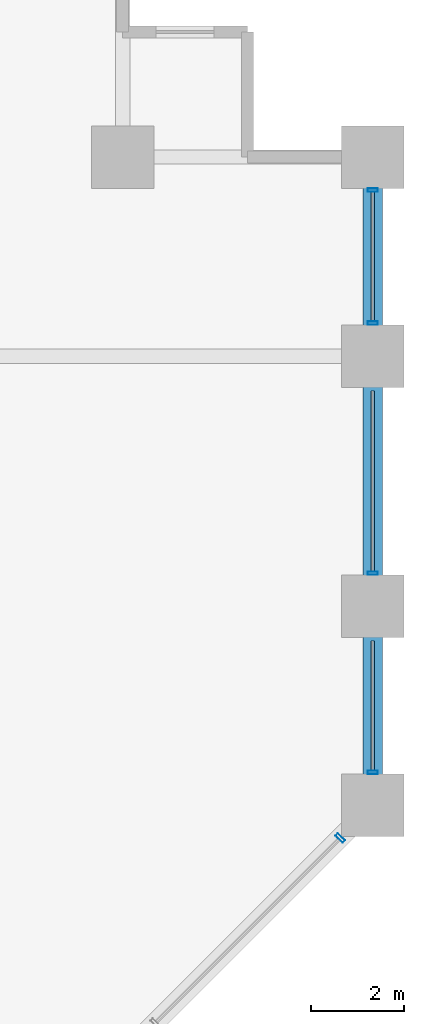
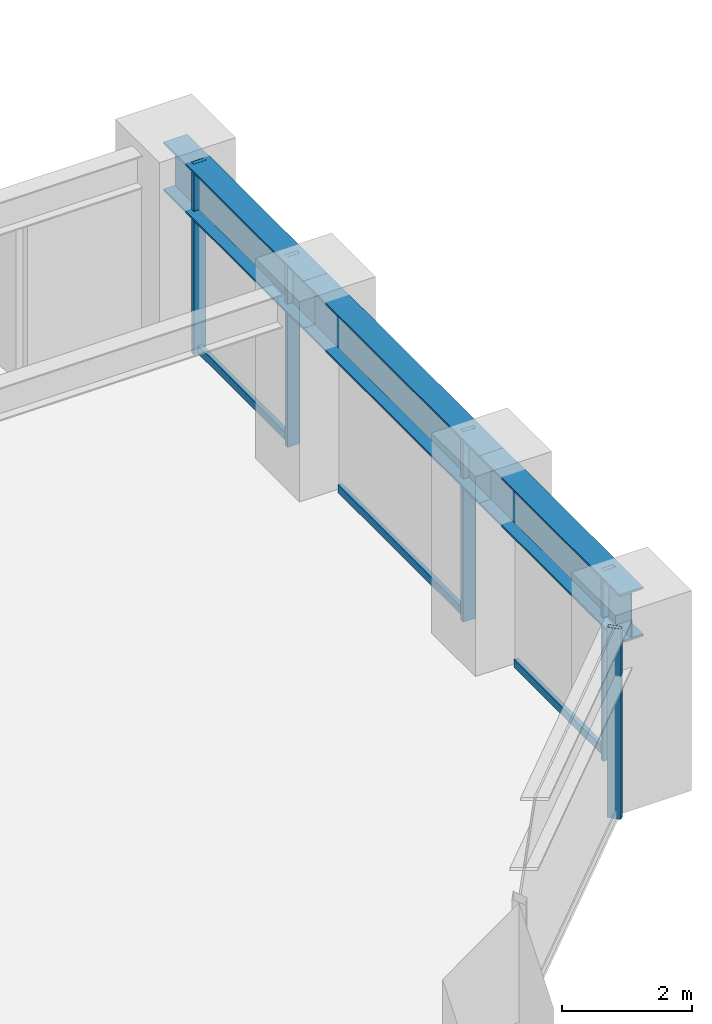
# One storey, part 17 of 25: 8 members, 3 beams, 2 elements without a shape of their own.
"""IFC4 building model written with IfcOpenShell, lengths in metres."""

import ifcopenshell
import ifcopenshell.guid

model = None  # the IFC model being written
_history = None  # IfcOwnerHistory: only IFC2X3 demands one
_inside = {}  # id of a spatial element -> (the spatial element, [elements in it])
_under = {}  # id of a project, library or spatial element -> (it, [spatial elements below it])
_declared = {}  # id of a project -> (the project, [libraries it declares])
_typed = {}  # id of a type object -> (the type object, [elements of that type])
_made_of = {}  # id of a material, layer set ... -> (it, [elements and type objects made of it])


def new_model(schema):
    """Start an empty IFC model of exactly this schema.

    Asked for "IFC4X3", IfcOpenShell would pick the latest addendum, in which some entities
    have other attributes; the version numbers below select the first issue.
    IFC2X3 requires an IfcOwnerHistory on every rooted entity: one is made here for all.
    """
    global model, _history
    if schema == "IFC4X3":
        model = ifcopenshell.file(schema_version=(4, 3, 0, 0))
    else:
        model = ifcopenshell.file(schema=schema)
    _inside.clear()
    _under.clear()
    _declared.clear()
    _typed.clear()
    _made_of.clear()
    _history = None
    if model.schema == "IFC2X3":
        org = make("IfcOrganization", Name="unknown")
        user = make(
            "IfcPersonAndOrganization",
            ThePerson=make("IfcPerson", FamilyName="unknown"),
            TheOrganization=org,
        )
        app = make(
            "IfcApplication",
            ApplicationDeveloper=org,
            Version="unknown",
            ApplicationFullName="unknown",
            ApplicationIdentifier="unknown",
        )
        _history = make(
            "IfcOwnerHistory",
            OwningUser=user,
            OwningApplication=app,
            ChangeAction="ADDED",
            CreationDate=0,
        )
    return model


def make(cls, **values):
    """One entity of the class cls with the attributes given. An attribute that is None is left unset."""
    return model.create_entity(
        cls, **{name: value for name, value in values.items() if value is not None}
    )


def rooted(cls, **values):
    """An entity with a GlobalId (a new one), such as an element, a storey or a relation."""
    return make(cls, GlobalId=ifcopenshell.guid.new(), OwnerHistory=_history, **values)


def si_unit(unit_type, name, prefix=None):
    """IfcSIUnit, for example si_unit("LENGTHUNIT", "METRE", prefix="MILLI")."""
    return make("IfcSIUnit", UnitType=unit_type, Prefix=prefix, Name=name)


def assignment(units):
    """IfcUnitAssignment: the units of a project."""
    return None if units is None else make("IfcUnitAssignment", Units=units)


def point(xyz):
    """IfcCartesianPoint."""
    return None if xyz is None else make("IfcCartesianPoint", Coordinates=xyz)


def direction(xyz):
    """IfcDirection."""
    return None if xyz is None else make("IfcDirection", DirectionRatios=xyz)


def frame(location, z_axis=None, x_axis=None):
    """IfcAxis2Placement3D, a coordinate frame: its origin and axes. An axis left out is left unset."""
    return make(
        "IfcAxis2Placement3D",
        Location=point(location),
        Axis=direction(z_axis),
        RefDirection=direction(x_axis),
    )


def frame_2d(location, x_axis=None):
    """IfcAxis2Placement2D, a coordinate frame in the plane: its origin and x axis."""
    return make(
        "IfcAxis2Placement2D", Location=point(location), RefDirection=direction(x_axis)
    )


def origin():
    """The frame at (0, 0, 0) with its axes left unset."""
    return frame((0.0, 0.0, 0.0))


def origin_2d():
    """The frame at (0, 0) in the plane with its x axis left unset."""
    return frame_2d((0.0, 0.0))


def place(relative_to, where):
    """IfcLocalPlacement: puts the frame where relative to a parent placement (None: the world)."""
    return make(
        "IfcLocalPlacement", PlacementRelTo=relative_to, RelativePlacement=where
    )


def context(
    kind, dimensions, precision=None, world=None, true_north=None, identifier=None
):
    """IfcGeometricRepresentationContext, for example the 3D "Model" context."""
    return make(
        "IfcGeometricRepresentationContext",
        ContextIdentifier=identifier,
        ContextType=kind,
        CoordinateSpaceDimension=dimensions,
        Precision=precision,
        WorldCoordinateSystem=world,
        TrueNorth=true_north,
    )


def subcontext(parent, identifier, kind, view, scale=None):
    """IfcGeometricRepresentationSubContext, for example "Body" below "Model"."""
    return make(
        "IfcGeometricRepresentationSubContext",
        ContextIdentifier=identifier,
        ContextType=kind,
        ParentContext=parent,
        TargetScale=scale,
        TargetView=view,
    )


def project(units=None, contexts=None):
    """IfcProject with its units and contexts."""
    return rooted(
        "IfcProject",
        Name="project",
        RepresentationContexts=contexts,
        UnitsInContext=assignment(units),
    )


def spatial(cls, under=None, at=None, **own):
    """A site, building, storey or space (cls), placed at a placement, below another one or the project."""
    s = rooted(cls, ObjectPlacement=at, **own)
    if under is not None:
        _under.setdefault(under.id(), (under, []))[1].append(s)
    return s


def profile(cls, at=None, kind="AREA", **sizes):
    """A parametric profile (cls). Its sizes go by their IFC names, for example OverallWidth=200.0."""
    return make(cls, ProfileType=kind, Position=at, **sizes)


def hollow_rectangle(**sizes):
    """IfcRectangleHollowProfileDef."""
    return profile("IfcRectangleHollowProfileDef", **sizes)


def i_section(**sizes):
    """IfcIShapeProfileDef."""
    return profile("IfcIShapeProfileDef", **sizes)


def extrude(swept, where, along, depth):
    """IfcExtrudedAreaSolid: the profile swept, set in the frame where, extruded along a direction by depth."""
    return make(
        "IfcExtrudedAreaSolid",
        SweptArea=swept,
        Position=where,
        ExtrudedDirection=direction(along),
        Depth=depth,
    )


def shape(context_of_items, identifier, shape_type, items):
    """IfcShapeRepresentation: the items that make up one representation, for example the "Body"."""
    return make(
        "IfcShapeRepresentation",
        ContextOfItems=context_of_items,
        RepresentationIdentifier=identifier,
        RepresentationType=shape_type,
        Items=items,
    )


def material(Name=None, Category=None):
    """IfcMaterial."""
    return make("IfcMaterial", Name=Name, Category=Category)


def layer(
    of_material, thickness, ventilated=None, Name=None, Category=None, Priority=None
):
    """IfcMaterialLayer: one layer of a wall or slab, of a material (None: an air gap)."""
    return make(
        "IfcMaterialLayer",
        Material=of_material,
        LayerThickness=thickness,
        IsVentilated=ventilated,
        Name=Name,
        Category=Category,
        Priority=Priority,
    )


def layer_set(layers, Name=None):
    """IfcMaterialLayerSet."""
    return make("IfcMaterialLayerSet", MaterialLayers=layers, LayerSetName=Name)


def material_profile(
    of_material, cross_section, Name=None, Category=None, Priority=None
):
    """IfcMaterialProfile: a cross section and its material."""
    return make(
        "IfcMaterialProfile",
        Name=Name,
        Material=of_material,
        Profile=cross_section,
        Priority=Priority,
        Category=Category,
    )


def profile_set(profiles, Name=None, composite=None):
    """IfcMaterialProfileSet."""
    return make(
        "IfcMaterialProfileSet",
        Name=Name,
        MaterialProfiles=profiles,
        CompositeProfile=composite,
    )


def made_of(thing, what):
    """Note that an element or type object is made of a material, layer set ...; save() writes the relation."""
    if what is not None:
        _made_of.setdefault(what.id(), (what, []))[1].append(thing)
    return thing


def type_object(cls, material=None, **own):
    """A type object (cls), such as IfcWallType, which elements share."""
    return made_of(rooted(cls, **own), material)


def element(
    cls,
    number,
    at=None,
    inside=None,
    cuts=None,
    type_object=None,
    material=None,
    context=None,
    identifier="Body",
    shape_type=None,
    held_by="IfcProductDefinitionShape",
    body=None,
    shapes=None,
    **own,
):
    """One element of the class cls, such as IfcWall. Its Tag is "e" and its number.

    at: its placement. inside: the storey or other place that contains it. cuts: it is an
    opening in that element (IfcRelVoidsElement). A single representation is given by context,
    identifier, shape_type and body (its items); several are given by shapes. held_by: the class
    of the entity that holds the representations. save() writes the other relations.
    """
    e = rooted(cls, Tag="e%d" % number, ObjectPlacement=at, **own)
    if body is not None:
        shapes = [shape(context, identifier, shape_type, body)]
    if shapes is not None:
        e.Representation = make(held_by, Representations=shapes)
    if inside is not None:
        _inside.setdefault(inside.id(), (inside, []))[1].append(e)
    if cuts is not None:
        rooted(
            "IfcRelVoidsElement", RelatingBuildingElement=cuts, RelatedOpeningElement=e
        )
    if type_object is not None:
        _typed.setdefault(type_object.id(), (type_object, []))[1].append(e)
    return made_of(e, material)


def aggregate(whole, parts):
    """IfcRelAggregates: a whole, such as a stair, and the parts it consists of."""
    return rooted("IfcRelAggregates", RelatingObject=whole, RelatedObjects=parts)


def save(model, path):
    """Write the relations noted so far, then the file.

    IfcRelAggregates (storeys below a building ...), IfcRelContainedInSpatialStructure (elements
    in a storey), IfcRelDefinesByType, IfcRelAssociatesMaterial and IfcRelDeclares: one each for
    every whole, place, type object, material and project.
    """
    for whole, parts in _under.values():
        aggregate(whole, parts)
    for where, things in _inside.values():
        rooted(
            "IfcRelContainedInSpatialStructure",
            RelatedElements=things,
            RelatingStructure=where,
        )
    for kind, things in _typed.values():
        rooted("IfcRelDefinesByType", RelatedObjects=things, RelatingType=kind)
    for what, things in _made_of.values():
        rooted("IfcRelAssociatesMaterial", RelatedObjects=things, RelatingMaterial=what)
    for by, libraries in _declared.values():
        rooted("IfcRelDeclares", RelatingContext=by, RelatedDefinitions=libraries)
    model.write(path)


model = new_model("IFC4")

# Units and contexts
model_context = context("Model", 3, precision=1e-05, world=origin(), true_north=direction((0.0, 1.0)))
body_context = subcontext(model_context, "Body", "Model", "MODEL_VIEW")
ifc_project = project(units=[si_unit("LENGTHUNIT", "METRE"), si_unit("AREAUNIT", "SQUARE_METRE"), si_unit("VOLUMEUNIT", "CUBIC_METRE"), si_unit("PLANEANGLEUNIT", "RADIAN"), si_unit("MASSUNIT", "GRAM", prefix="KILO")], contexts=[model_context])

# Site, building, storey
site_placement = place(None, origin())
site = spatial("IfcSite", under=ifc_project, at=site_placement, CompositionType="ELEMENT")
building_placement = place(site_placement, origin())
building = spatial("IfcBuilding", under=site, at=building_placement, Name="Surkhivell Harbour Commons", CompositionType="ELEMENT")
storey_placement = place(building_placement, frame((0.0, 0.0, 37.5)))
storey = spatial("IfcBuildingStorey", under=building, at=storey_placement, Name="L09", CompositionType="ELEMENT", Elevation=37.5)

# Beams
ifc_material_1 = material(Name="Steel S460", Category="steel")
ifc_material_profile_1 = material_profile(ifc_material_1, i_section(OverallWidth=0.419921875, OverallDepth=0.9208984375, WebThickness=0.021484375, FlangeThickness=0.03662109375, at=origin_2d()), Name="UB914x419x388")
ifc_profile_set_1 = profile_set([ifc_material_profile_1], Name="Steel S460")
beam_type = type_object("IfcBeamType", Name="BM-SPN-914A", PredefinedType="SPANDREL", material=ifc_profile_set_1)
beam_1_placement = place(storey_placement, frame((32.39990234375, 6.5, 3.109619140625), z_axis=(0.0, 1.0, 0.0), x_axis=(-1.0, 0.0, 0.0)))
element("IfcBeam", 1, at=beam_1_placement, inside=storey, type_object=beam_type, Name="L09 Tube Spandrel (32.4,6.5)", PredefinedType="SPANDREL", context=body_context, shape_type="SweptSolid", body=[
    extrude(i_section(OverallWidth=0.419921875, OverallDepth=0.9208984375, WebThickness=0.021484375, FlangeThickness=0.03662109375, at=origin_2d()), origin(), (0.0, 0.0, 1.0), 4.300048828125),
])
beam_2_placement = place(storey_placement, frame((32.39990234375, 10.800048828125, 3.109619140625), z_axis=(0.0, 1.0, 0.0), x_axis=(-1.0, 0.0, 0.0)))
element("IfcBeam", 2, at=beam_2_placement, inside=storey, type_object=beam_type, Name="L09 Tube Spandrel (32.4,10.8)", PredefinedType="SPANDREL", context=body_context, shape_type="SweptSolid", body=[
    extrude(i_section(OverallWidth=0.419921875, OverallDepth=0.9208984375, WebThickness=0.021484375, FlangeThickness=0.03662109375, at=origin_2d()), origin(), (0.0, 0.0, 1.0), 5.39990234375),
])
beam_3_placement = place(storey_placement, frame((32.39990234375, 16.199951171875, 3.109619140625), z_axis=(0.0, 1.0, 0.0), x_axis=(-1.0, 0.0, 0.0)))
element("IfcBeam", 3, at=beam_3_placement, inside=storey, type_object=beam_type, Name="L09 Tube Spandrel (32.4,16.2)", PredefinedType="SPANDREL", context=body_context, shape_type="SweptSolid", body=[
    extrude(i_section(OverallWidth=0.419921875, OverallDepth=0.9208984375, WebThickness=0.021484375, FlangeThickness=0.03662109375, at=origin_2d()), origin(), (0.0, 0.0, 1.0), 4.300048828125),
])

# Curtain wall, member
ifc_material_2 = material(Name="Anodised pale-metal aluminium and insulated glazing", Category="aluminium")
ifc_layer = layer(ifc_material_2, 0.219970703125)
ifc_layer_set = layer_set([ifc_layer], Name="Anodised pale-metal aluminium and insulated glazing")
curtain_wall_type = type_object("IfcCurtainWallType", Name="CW-SYS-Z1", PredefinedType="NOTDEFINED", material=ifc_layer_set)
curtain_wall_1_placement = place(storey_placement, origin())
curtain_wall_1 = element("IfcCurtainWall", 4, at=curtain_wall_1_placement, inside=storey, type_object=curtain_wall_type, Name="L09 Curtain Wall CW-L09-E01", PredefinedType="NOTDEFINED")
ifc_material_3 = material(Name="Anodised pale-metal aluminium alloy 6063-T6", Category="aluminium")
ifc_material_profile_2 = material_profile(ifc_material_3, hollow_rectangle(XDim=0.074951171875, YDim=0.219970703125, WallThickness=0.00390625, at=origin_2d()), Name="ALU-MULL-75x220")
ifc_profile_set_2 = profile_set([ifc_material_profile_2], Name="Anodised pale-metal aluminium alloy 6063-T6")
member_type_1 = type_object("IfcMemberType", Name="CWM-220", PredefinedType="MULLION", material=ifc_profile_set_2)
member_1_placement = place(storey_placement, frame((31.69677734375, 5.796630859375, 0.0), z_axis=(0.0, 0.0, 1.0), x_axis=(0.707106781187, 0.707106781187, 0.0)))
member_1 = element("IfcMember", 5, at=member_1_placement, type_object=member_type_1, Name="CW-Z1 mullion 7", PredefinedType="MULLION", context=body_context, shape_type="SweptSolid", body=[
    extrude(hollow_rectangle(XDim=0.074951171875, YDim=0.219970703125, WallThickness=0.00390625, at=origin_2d()), origin(), (0.0, 0.0, 1.0), 3.570068359375),
])
aggregate(curtain_wall_1, [member_1])

# Curtain wall, members
curtain_wall_2_placement = place(storey_placement, origin())
curtain_wall_2 = element("IfcCurtainWall", 6, at=curtain_wall_2_placement, inside=storey, type_object=curtain_wall_type, Name="L09 Curtain Wall CW-L09-E02", PredefinedType="NOTDEFINED")
member_2_placement = place(storey_placement, frame((32.39990234375, 7.214599609375, 0.0), z_axis=(0.0, 0.0, 1.0), x_axis=(0.0, 1.0, 0.0)))
member_2 = element("IfcMember", 7, at=member_2_placement, type_object=member_type_1, Name="CW-Z1 mullion 1", PredefinedType="MULLION", context=body_context, shape_type="SweptSolid", body=[
    extrude(hollow_rectangle(XDim=0.074951171875, YDim=0.219970703125, WallThickness=0.00390625, at=origin_2d()), origin(), (0.0, 0.0, 1.0), 3.570068359375),
])
member_3_placement = place(storey_placement, frame((32.39990234375, 11.514404296875, 0.0), z_axis=(0.0, 0.0, 1.0), x_axis=(0.0, 1.0, 0.0)))
member_3 = element("IfcMember", 8, at=member_3_placement, type_object=member_type_1, Name="CW-Z1 mullion 2", PredefinedType="MULLION", context=body_context, shape_type="SweptSolid", body=[
    extrude(hollow_rectangle(XDim=0.074951171875, YDim=0.219970703125, WallThickness=0.00390625, at=origin_2d()), origin(), (0.0, 0.0, 1.0), 3.570068359375),
])
member_4_placement = place(storey_placement, frame((32.39990234375, 16.91455078125, 0.0), z_axis=(0.0, 0.0, 1.0), x_axis=(0.0, 1.0, 0.0)))
member_4 = element("IfcMember", 9, at=member_4_placement, type_object=member_type_1, Name="CW-Z1 mullion 3", PredefinedType="MULLION", context=body_context, shape_type="SweptSolid", body=[
    extrude(hollow_rectangle(XDim=0.074951171875, YDim=0.219970703125, WallThickness=0.00390625, at=origin_2d()), origin(), (0.0, 0.0, 1.0), 3.570068359375),
])
member_5_placement = place(storey_placement, frame((32.39990234375, 19.785400390625, 0.0), z_axis=(0.0, 0.0, 1.0), x_axis=(0.0, 1.0, 0.0)))
member_5 = element("IfcMember", 10, at=member_5_placement, type_object=member_type_1, Name="CW-Z1 mullion 4", PredefinedType="MULLION", context=body_context, shape_type="SweptSolid", body=[
    extrude(hollow_rectangle(XDim=0.074951171875, YDim=0.219970703125, WallThickness=0.00390625, at=origin_2d()), origin(), (0.0, 0.0, 1.0), 3.570068359375),
])
ifc_material_profile_3 = material_profile(ifc_material_3, hollow_rectangle(XDim=0.074951171875, YDim=0.14990234375, WallThickness=0.00341796875, at=origin_2d()), Name="ALU-TRAN-75x150")
ifc_profile_set_3 = profile_set([ifc_material_profile_3], Name="Anodised pale-metal aluminium alloy 6063-T6")
member_type_2 = type_object("IfcMemberType", Name="CWT-150", PredefinedType="USERDEFINED", material=ifc_profile_set_3)
member_6_placement = place(storey_placement, frame((32.39990234375, 7.251953125, 0.074951171875), z_axis=(0.0, 1.0, 0.0), x_axis=(-1.0, 0.0, 0.0)))
member_6 = element("IfcMember", 11, at=member_6_placement, type_object=member_type_2, Name="CW-Z1 transom 1.1", ObjectType="TRANSOM", PredefinedType="USERDEFINED", context=body_context, shape_type="SweptSolid", body=[
    extrude(hollow_rectangle(XDim=0.074951171875, YDim=0.14990234375, WallThickness=0.00341796875, at=origin_2d()), origin(), (0.0, 0.0, 1.0), 2.796142578125),
])
member_7_placement = place(storey_placement, frame((32.39990234375, 11.552001953125, 0.074951171875), z_axis=(0.0, 1.0, 0.0), x_axis=(-1.0, 0.0, 0.0)))
member_7 = element("IfcMember", 12, at=member_7_placement, type_object=member_type_2, Name="CW-Z1 transom 2.1", ObjectType="TRANSOM", PredefinedType="USERDEFINED", context=body_context, shape_type="SweptSolid", body=[
    extrude(hollow_rectangle(XDim=0.074951171875, YDim=0.14990234375, WallThickness=0.00341796875, at=origin_2d()), origin(), (0.0, 0.0, 1.0), 3.89599609375),
])
member_8_placement = place(storey_placement, frame((32.39990234375, 16.951904296875, 0.074951171875), z_axis=(0.0, 1.0, 0.0), x_axis=(-1.0, 0.0, 0.0)))
member_8 = element("IfcMember", 13, at=member_8_placement, type_object=member_type_2, Name="CW-Z1 transom 3.1", ObjectType="TRANSOM", PredefinedType="USERDEFINED", context=body_context, shape_type="SweptSolid", body=[
    extrude(hollow_rectangle(XDim=0.074951171875, YDim=0.14990234375, WallThickness=0.00341796875, at=origin_2d()), origin(), (0.0, 0.0, 1.0), 2.796142578125),
])
aggregate(curtain_wall_2, [member_2, member_6, member_3, member_7, member_4, member_5, member_8])

save(model, "model.ifc")
